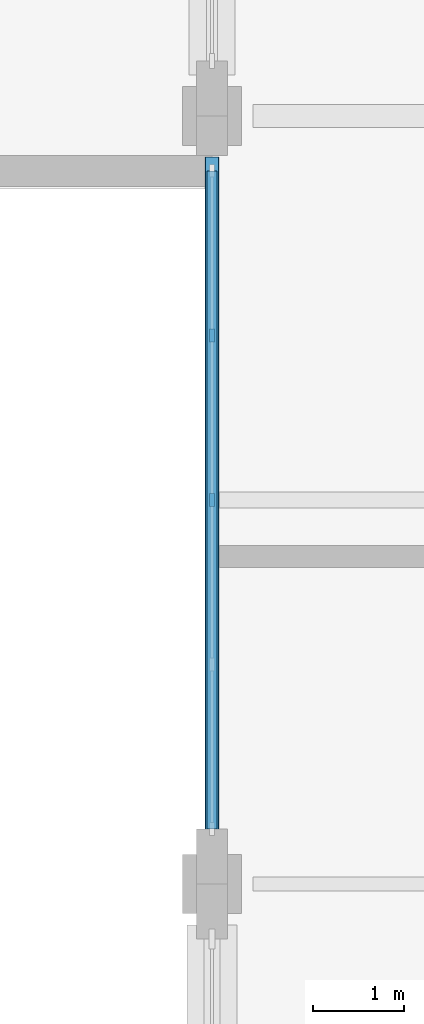
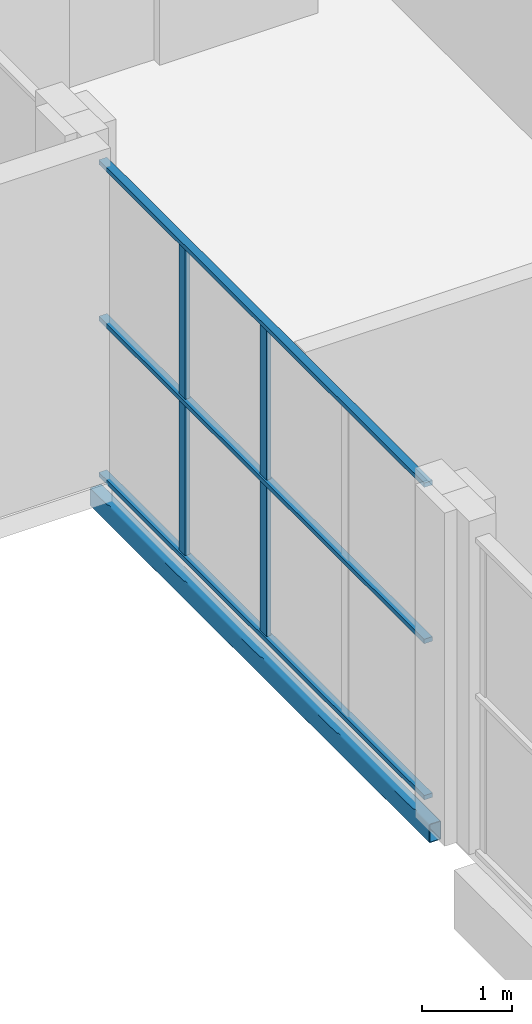
# One storey, part 37 of 75: 5 members, 1 beam, 1 element without a shape of its own.
"""IFC4 building model written with IfcOpenShell, lengths in metres."""

from ifc_helpers import new_model, si_unit, derived_unit, direction, frame, origin, origin_2d, place, context, subcontext, project, spatial, rectangle, hollow_rectangle, extrude, material, material_profile, profile_set, type_object, element, aggregate, save


model = new_model("IFC4")

# Units and contexts
model_context = context("Model", 3, precision=1e-05, world=origin(), true_north=direction((0.0, 1.0)))
body_context = subcontext(model_context, "Body", "Model", "MODEL_VIEW")
ifc_project = project(units=[si_unit("LENGTHUNIT", "METRE"), si_unit("AREAUNIT", "SQUARE_METRE"), si_unit("VOLUMEUNIT", "CUBIC_METRE"), si_unit("PLANEANGLEUNIT", "RADIAN"), si_unit("MASSUNIT", "GRAM", prefix="KILO"), derived_unit("THERMALTRANSMITTANCEUNIT", [(si_unit("POWERUNIT", "WATT"), 1), (si_unit("LENGTHUNIT", "METRE"), -2), (si_unit("THERMODYNAMICTEMPERATUREUNIT", "KELVIN"), -1)])], contexts=[model_context])

# Site, building, storey
site_placement = place(None, origin())
site = spatial("IfcSite", under=ifc_project, at=site_placement, CompositionType="ELEMENT")
building_placement = place(site_placement, origin())
building = spatial("IfcBuilding", under=site, at=building_placement, Name="Barrovel Congress Hotel", CompositionType="ELEMENT")
storey_placement = place(building_placement, frame((0.0, 0.0, 5.39990234375)))
storey = spatial("IfcBuildingStorey", under=building, at=storey_placement, Name="L01", CompositionType="ELEMENT", Elevation=5.39990234375)

# Curtain wall, members
ifc_material_1 = material(Name="Anodised Aluminium Alloy 6063-T6", Category="aluminium")
curtain_wall_type = type_object("IfcCurtainWallType", Name="CW-ST-7200x3600", PredefinedType="USERDEFINED", material=ifc_material_1)
curtain_wall_placement = place(storey_placement, origin())
curtain_wall = element("IfcCurtainWall", 1, at=curtain_wall_placement, inside=storey, type_object=curtain_wall_type, Name="CW:L01:CE:88.2", ObjectType="STICK CURTAIN WALL", PredefinedType="USERDEFINED")
ifc_material_profile_1 = material_profile(ifc_material_1, rectangle(XDim=0.06005859375, YDim=0.139892578125, at=origin_2d()), Name="AL-M60x140")
ifc_profile_set_1 = profile_set([ifc_material_profile_1], Name="Anodised Aluminium Alloy 6063-T6")
member_type_1 = type_object("IfcMemberType", Name="CWM-AL-M60x140", PredefinedType="MULLION", material=ifc_profile_set_1)
member_1_placement = place(storey_placement, frame((126.0, 94.199951171875, 0.0), z_axis=(0.0, 0.0, 1.0), x_axis=(1.0, 0.0, 0.0)))
member_1 = element("IfcMember", 2, at=member_1_placement, type_object=member_type_1, Name="CW:L01:CE:88.2:M1", PredefinedType="MULLION", context=body_context, shape_type="SweptSolid", body=[
    extrude(rectangle(XDim=0.06005859375, YDim=0.139892578125, at=origin_2d()), origin(), (0.0, 0.0, 1.0), 4.22021484375),
])
member_2_placement = place(storey_placement, frame((126.0, 92.39990234375, 0.0), z_axis=(0.0, 0.0, 1.0), x_axis=(1.0, 0.0, 0.0)))
member_2 = element("IfcMember", 3, at=member_2_placement, type_object=member_type_1, Name="CW:L01:CE:88.2:M2", PredefinedType="MULLION", context=body_context, shape_type="SweptSolid", body=[
    extrude(rectangle(XDim=0.06005859375, YDim=0.139892578125, at=origin_2d()), origin(), (0.0, 0.0, 1.0), 4.22021484375),
])
ifc_material_profile_2 = material_profile(ifc_material_1, rectangle(XDim=0.10498046875, YDim=0.06005859375, at=origin_2d()), Name="AL-T60x105")
ifc_profile_set_2 = profile_set([ifc_material_profile_2], Name="Anodised Aluminium Alloy 6063-T6")
member_type_2 = type_object("IfcMemberType", Name="CWT-AL-T60x105", PredefinedType="USERDEFINED", material=ifc_profile_set_2)
member_3_placement = place(storey_placement, frame((126.0, 96.0, 0.0), z_axis=(0.0, -1.0, 0.0), x_axis=(1.0, 0.0, 0.0)))
member_3 = element("IfcMember", 4, at=member_3_placement, type_object=member_type_2, Name="CW:L01:CE:88.2:T0", ObjectType="TRANSOM", PredefinedType="USERDEFINED", context=body_context, shape_type="SweptSolid", body=[
    extrude(rectangle(XDim=0.10498046875, YDim=0.06005859375, at=origin_2d()), origin(), (0.0, 0.0, 1.0), 7.199951171875),
])
member_4_placement = place(storey_placement, frame((126.0, 96.0, 2.110107421875), z_axis=(0.0, -1.0, 0.0), x_axis=(1.0, 0.0, 0.0)))
member_4 = element("IfcMember", 5, at=member_4_placement, type_object=member_type_2, Name="CW:L01:CE:88.2:T1", ObjectType="TRANSOM", PredefinedType="USERDEFINED", context=body_context, shape_type="SweptSolid", body=[
    extrude(rectangle(XDim=0.10498046875, YDim=0.06005859375, at=origin_2d()), origin(), (0.0, 0.0, 1.0), 7.199951171875),
])
member_5_placement = place(storey_placement, frame((126.0, 96.0, 4.22021484375), z_axis=(0.0, -1.0, 0.0), x_axis=(1.0, 0.0, 0.0)))
member_5 = element("IfcMember", 6, at=member_5_placement, type_object=member_type_2, Name="CW:L01:CE:88.2:T2", ObjectType="TRANSOM", PredefinedType="USERDEFINED", context=body_context, shape_type="SweptSolid", body=[
    extrude(rectangle(XDim=0.10498046875, YDim=0.06005859375, at=origin_2d()), origin(), (0.0, 0.0, 1.0), 7.199951171875),
])
aggregate(curtain_wall, [member_1, member_2, member_3, member_4, member_5])

# Beam
ifc_material_2 = material(Name="Steel ASTM A500 Grade C", Category="steel")
ifc_material_profile_3 = material_profile(ifc_material_2, hollow_rectangle(XDim=0.15234375, YDim=0.25390625, WallThickness=0.0087890625, InnerFilletRadius=0.0087890625, OuterFilletRadius=0.017578125, at=origin_2d()), Name="HSS254x152x9.5")
ifc_profile_set_3 = profile_set([ifc_material_profile_3], Name="Steel ASTM A500 Grade C")
beam_type = type_object("IfcBeamType", Name="SBM-HSS254x152x9.5", PredefinedType="SPANDREL", material=ifc_profile_set_3)
beam_placement = place(storey_placement, frame((126.0, 88.64990234375, -0.386962890625), z_axis=(0.0, 1.0, 0.0), x_axis=(-1.0, 0.0, 0.0)))
element("IfcBeam", 7, at=beam_placement, inside=storey, type_object=beam_type, Name="BMY:L01:126.0:88.2-96.6", PredefinedType="SPANDREL", context=body_context, shape_type="SweptSolid", body=[
    extrude(hollow_rectangle(XDim=0.15234375, YDim=0.25390625, WallThickness=0.0087890625, InnerFilletRadius=0.0087890625, OuterFilletRadius=0.017578125, at=origin_2d()), origin(), (0.0, 0.0, 1.0), 7.5),
])

save(model, "model.ifc")
